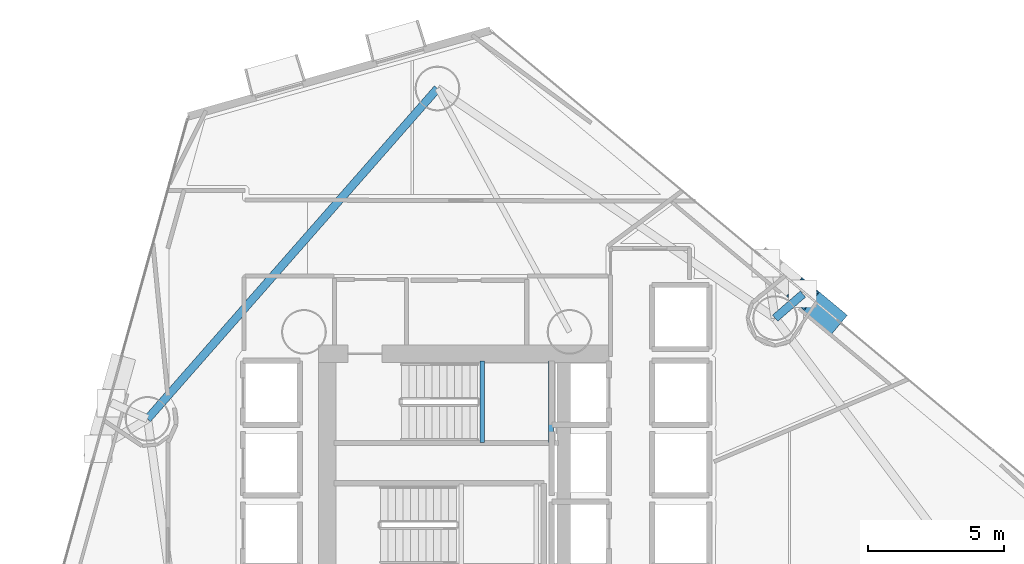
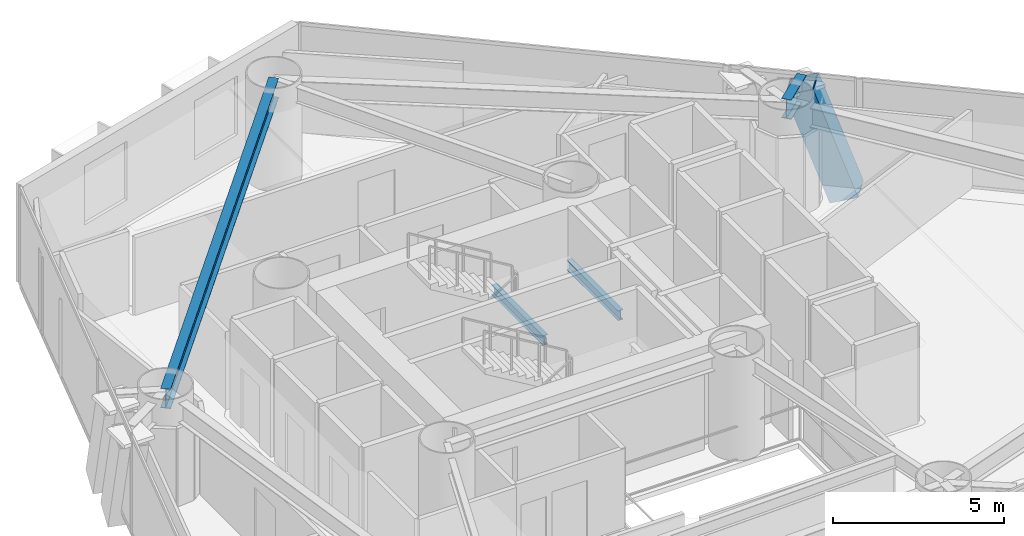
# One storey, part 9 of 23: 4 beams, 1 member.
"""IFC4 building model written with IfcOpenShell, lengths in metres."""

from ifc_helpers import new_model, si_unit, direction, frame, origin, origin_2d, place, context, subcontext, project, spatial, hollow_rectangle, i_section, extrude, material, material_profile, profile_set, type_object, element, save


model = new_model("IFC4")

# Units and contexts
model_context = context("Model", 3, precision=1e-05, world=origin(), true_north=direction((0.0, 1.0)))
body_context = subcontext(model_context, "Body", "Model", "MODEL_VIEW")
ifc_project = project(units=[si_unit("LENGTHUNIT", "METRE"), si_unit("AREAUNIT", "SQUARE_METRE"), si_unit("VOLUMEUNIT", "CUBIC_METRE"), si_unit("PLANEANGLEUNIT", "RADIAN"), si_unit("MASSUNIT", "GRAM", prefix="KILO")], contexts=[model_context])

# Site, building, storey
site_placement = place(None, origin())
site = spatial("IfcSite", under=ifc_project, at=site_placement, CompositionType="ELEMENT")
building_placement = place(site_placement, origin())
building = spatial("IfcBuilding", under=site, at=building_placement, Name="Qianvela Tower", CompositionType="ELEMENT")
storey_placement = place(building_placement, frame((0.0, 0.0, 78.39990234375)))
storey = spatial("IfcBuildingStorey", under=building, at=storey_placement, Name="L19", CompositionType="ELEMENT", Elevation=78.39990234375)

# Beams
ifc_material_1 = material(Name="Steel Q355B", Category="steel")
ifc_material_profile_1 = material_profile(ifc_material_1, i_section(OverallWidth=0.175048828125, OverallDepth=0.35009765625, WebThickness=0.007080078125, FlangeThickness=0.010986328125, at=origin_2d()), Name="HN350x175x7x11")
ifc_profile_set_1 = profile_set([ifc_material_profile_1], Name="Steel Q355B")
beam_type_1 = type_object("IfcBeamType", Name="BM-HN350-JOIST", PredefinedType="JOIST", material=ifc_profile_set_1)
for number, where, z_axis, x_axis, name in (
    (1, (35.179931640625, 29.4599609375, 1.47509765625), (0.0, 1.0, 0.0), (-1.0, 0.0, 0.0), "L19 Stair ST-1 Landing Support Beam 1.1"),
    (2, (37.719970703125, 29.4599609375, 1.47509765625), (0.0, 1.0, 0.0), (-1.0, 0.0, 0.0), "L19 Stair ST-1 Landing Support Beam 1.2"),
):
    element("IfcBeam", number, at=place(storey_placement, frame(where, z_axis=z_axis, x_axis=x_axis)), inside=storey, type_object=beam_type_1, Name=name, PredefinedType="JOIST", context=body_context, shape_type="SweptSolid", body=[
        extrude(i_section(OverallWidth=0.175048828125, OverallDepth=0.35009765625, WebThickness=0.007080078125, FlangeThickness=0.010986328125, at=origin_2d()), origin(), (0.0, 0.0, 1.0), 3.02001953125),
    ])
ifc_material_2 = material(Name="Steel Q355B", Category="steel")
ifc_material_profile_2 = material_profile(ifc_material_2, i_section(OverallWidth=0.300048828125, OverallDepth=0.699951171875, WebThickness=0.012939453125, FlangeThickness=0.02392578125, at=origin_2d()), Name="HN700x300x13x24")
ifc_profile_set_2 = profile_set([ifc_material_profile_2], Name="Steel Q355B")
beam_type_2 = type_object("IfcBeamType", Name="BM-HN700-SPAND", PredefinedType="SPANDREL", material=ifc_profile_set_2)
beam_1_placement = place(storey_placement, frame((45.98388671875, 34.056884765625, 3.168212890625), z_axis=(0.757093926029, 0.653306044033, 0.0), x_axis=(-0.653306044033, 0.757093926029, 0.0)))
element("IfcBeam", 3, at=beam_1_placement, inside=storey, type_object=beam_type_2, Name="L19 Mega-Brace Column Tie Bracket F1-1", PredefinedType="SPANDREL", context=body_context, shape_type="SweptSolid", body=[
    extrude(i_section(OverallWidth=0.300048828125, OverallDepth=0.699951171875, WebThickness=0.012939453125, FlangeThickness=0.02392578125, at=origin_2d()), origin(), (0.0, 0.0, 1.0), 1.357177734375),
])
beam_2_placement = place(storey_placement, frame((33.52587890625, 42.529052734375, 3.168212890625), z_axis=(-0.659601693124, -0.751615331422, 0.0), x_axis=(0.751615331422, -0.659601693124, 0.0)))
element("IfcBeam", 4, at=beam_2_placement, inside=storey, type_object=beam_type_2, Name="L19 Perimeter Ring Spandrel Girder 3", PredefinedType="SPANDREL", context=body_context, shape_type="SweptSolid", body=[
    extrude(i_section(OverallWidth=0.300048828125, OverallDepth=0.699951171875, WebThickness=0.012939453125, FlangeThickness=0.02392578125, at=origin_2d()), origin(), (0.0, 0.0, 1.0), 16.217041015625),
])

# Member
ifc_material_3 = material(Name="Steel Q420GJC", Category="steel")
ifc_material_profile_3 = material_profile(ifc_material_3, hollow_rectangle(XDim=0.89990234375, YDim=0.89990234375, WallThickness=0.035888671875, at=origin_2d()), Name="MBOX-900x900x36")
ifc_profile_set_3 = profile_set([ifc_material_profile_3], Name="Steel Q420GJC")
member_type = type_object("IfcMemberType", Name="MBR-MBRACE-900", PredefinedType="BRACE", material=ifc_profile_set_3)
member_placement = place(storey_placement, frame((48.0361328125, 34.087890625, -0.531982421875), z_axis=(-0.260485250439, 0.217536526755, 0.940651526247), x_axis=(-0.640993512008, -0.76754629669, 0.0)))
element("IfcMember", 5, at=member_placement, inside=storey, type_object=member_type, Name="L19 Tier 3 Exterior Mega-Brace F1A", PredefinedType="BRACE", context=body_context, shape_type="SweptSolid", body=[
    extrude(hollow_rectangle(XDim=0.89990234375, YDim=0.89990234375, WallThickness=0.035888671875, at=origin_2d()), origin(), (0.0, 0.0, 1.0), 3.93359375),
])

save(model, "model.ifc")
